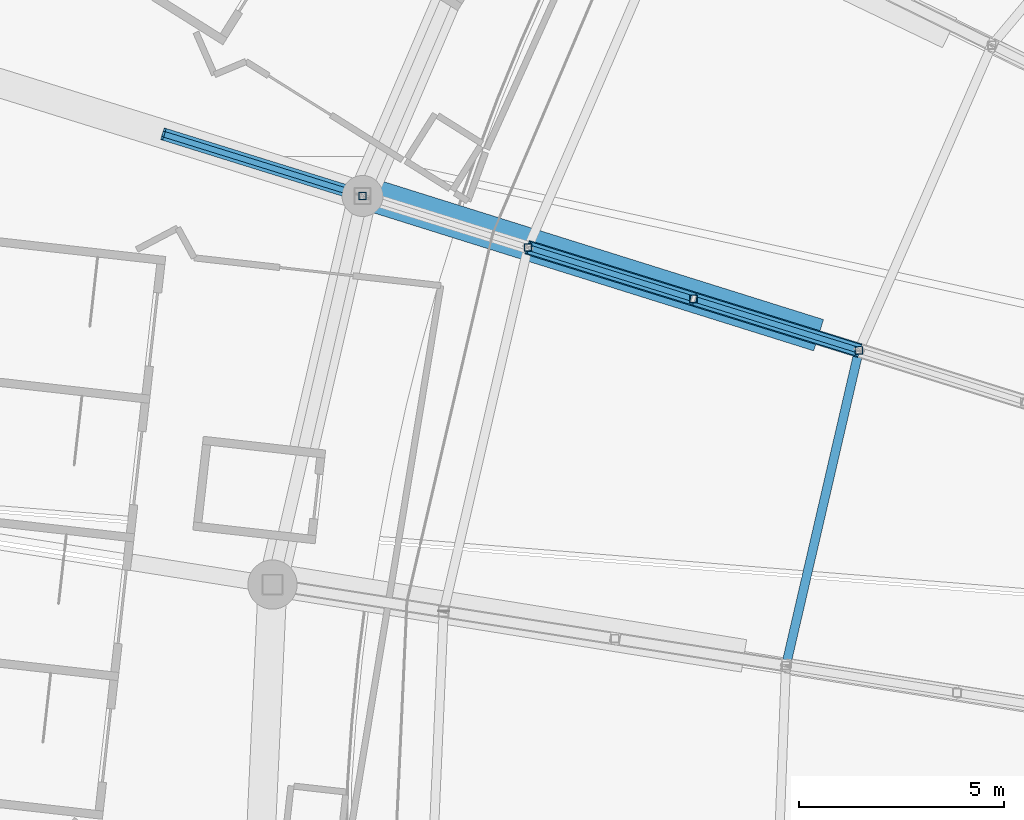
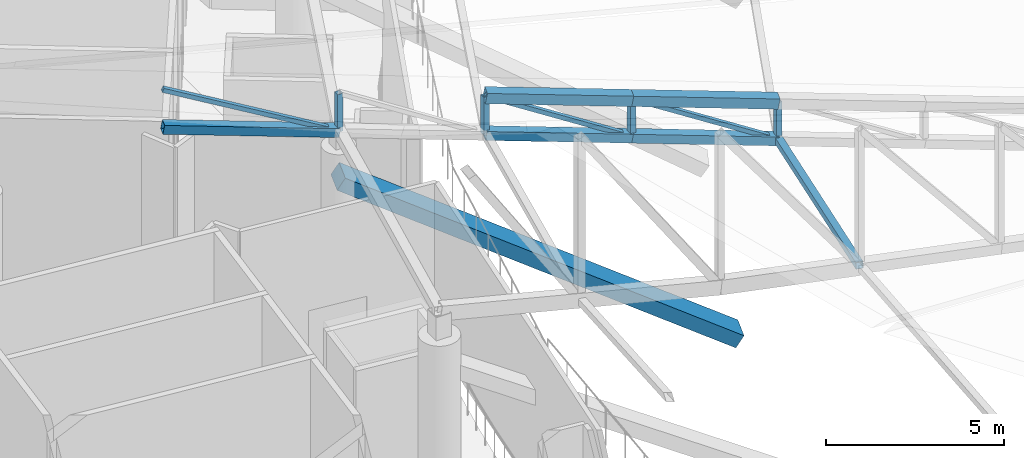
# One storey, part 128 of 344: 13 members, 1 beam.
"""IFC4 building model written with IfcOpenShell, lengths in metres."""

from ifc_helpers import new_model, si_unit, direction, frame, origin, origin_2d, place, context, subcontext, project, spatial, rectangle, hollow_rectangle, extrude, material, material_profile, profile_set, type_object, element, save


model = new_model("IFC4")

# Units and contexts
model_context = context("Model", 3, precision=1e-05, world=origin(), true_north=direction((0.0, 1.0)))
body_context = subcontext(model_context, "Body", "Model", "MODEL_VIEW")
ifc_project = project(units=[si_unit("LENGTHUNIT", "METRE"), si_unit("AREAUNIT", "SQUARE_METRE"), si_unit("VOLUMEUNIT", "CUBIC_METRE"), si_unit("PLANEANGLEUNIT", "RADIAN"), si_unit("MASSUNIT", "GRAM", prefix="KILO")], contexts=[model_context])

# Site, building, storey
site_placement = place(None, origin())
site = spatial("IfcSite", under=ifc_project, at=site_placement, CompositionType="ELEMENT")
building_placement = place(site_placement, origin())
building = spatial("IfcBuilding", under=site, at=building_placement, Name="Meseta Stadium", CompositionType="ELEMENT")
storey_placement = place(building_placement, frame((0.0, 0.0, 24.0)))
storey = spatial("IfcBuildingStorey", under=building, at=storey_placement, Name="L04", CompositionType="ELEMENT", Elevation=24.0)

# Beam
ifc_material_1 = material(Name="Concrete C40/50", Category="concrete")
ifc_material_profile_1 = material_profile(ifc_material_1, rectangle(XDim=0.800048828125, YDim=0.449951171875, at=origin_2d()), Name="RC 800x450")
ifc_profile_set_1 = profile_set([ifc_material_profile_1], Name="Concrete C40/50")
beam_type = type_object("IfcBeamType", Name="RC raker upper rear 800x450", PredefinedType="USERDEFINED", material=ifc_profile_set_1)
beam_placement = place(storey_placement, frame((-71.169677734375, 59.67724609375, -2.31787109375), z_axis=(-0.809741444929, 0.253874039245, 0.529024351577), x_axis=(-0.299165745615, -0.954201161522, 0.0)))
element("IfcBeam", 1, at=beam_placement, inside=storey, type_object=beam_type, Name="Raker upper rear frame 27 upper tier", ObjectType="RAKER", PredefinedType="USERDEFINED", context=body_context, shape_type="SweptSolid", body=[
    extrude(rectangle(XDim=0.800048828125, YDim=0.449951171875, at=origin_2d()), origin(), (0.0, 0.0, 1.0), 13.5517578125),
])

# Members
ifc_material_2 = material(Name="Steel S355", Category="steel")
ifc_material_profile_2 = material_profile(ifc_material_2, hollow_rectangle(XDim=0.139892578125, YDim=0.139892578125, WallThickness=0.0048828125, at=origin_2d()), Name="SHS 140x140x5")
ifc_profile_set_2 = profile_set([ifc_material_profile_2], Name="Steel S355")
member_type_1 = type_object("IfcMemberType", Name="SHS 140x140x5 diagonal", PredefinedType="BRACE", material=ifc_profile_set_2)
for number, where, z_axis, x_axis, name in (
    (2, (-70.073974609375, 59.272216796875, 4.256591796875), (-0.859278691546, 0.267243269939, 0.436143514142), (-0.296977513201, -0.954884472935, 0.0), "ROOF TRUSS RT-27 diagonal"),
    (3, (-74.105712890625, 60.526123046875, 5.0029296875), (-0.859278691546, 0.267243269939, 0.436143514142), (-0.296977513201, -0.954884472935, 0.0), "ROOF TRUSS RT-27 diagonal"),
):
    element("IfcMember", number, at=place(storey_placement, frame(where, z_axis=z_axis, x_axis=x_axis)), inside=storey, type_object=member_type_1, Name=name, PredefinedType="BRACE", context=body_context, shape_type="SweptSolid", body=[
        extrude(hollow_rectangle(XDim=0.139892578125, YDim=0.139892578125, WallThickness=0.0048828125, at=origin_2d()), origin(), (0.0, 0.0, 1.0), 4.69189453125),
    ])
member_1_placement = place(storey_placement, frame((-82.169189453125, 63.03369140625, 6.495849609375), z_axis=(-0.876394312663, 0.272580548813, 0.397030040603), x_axis=(-0.296991589907, -0.954880094842, 0.0)))
element("IfcMember", 4, at=member_1_placement, inside=storey, type_object=member_type_1, Name="ROOF TRUSS RT-27 diagonal", PredefinedType="BRACE", context=body_context, shape_type="SweptSolid", body=[
    extrude(hollow_rectangle(XDim=0.139892578125, YDim=0.139892578125, WallThickness=0.0048828125, at=origin_2d()), origin(), (0.0, 0.0, 1.0), 5.5361328125),
])
ifc_material_3 = material(Name="Steel S355", Category="steel")
ifc_material_profile_3 = material_profile(ifc_material_3, hollow_rectangle(XDim=0.179931640625, YDim=0.179931640625, WallThickness=0.00634765625, at=origin_2d()), Name="SHS 180x180x6.3")
ifc_profile_set_3 = profile_set([ifc_material_profile_3], Name="Steel S355")
member_type_2 = type_object("IfcMemberType", Name="SHS 180x180x6.3 post", PredefinedType="POST", material=ifc_profile_set_3)
for number, where, z_axis, x_axis, name in (
    (5, (-70.073974609375, 59.272216796875, 4.256591796875), (0.0, 0.0, 1.0), (1.0, 0.0, 0.0), "ROOF TRUSS RT-27 post"),
    (6, (-74.105712890625, 60.526123046875, 5.0029296875), (0.0, 0.0, 1.0), (1.0, 0.0, 0.0), "ROOF TRUSS RT-27 post"),
    (7, (-78.137451171875, 61.780029296875, 5.749267578125), (0.0, 0.0, 1.0), (1.0, 0.0, 0.0), "ROOF TRUSS RT-27 post"),
):
    element("IfcMember", number, at=place(storey_placement, frame(where, z_axis=z_axis, x_axis=x_axis)), inside=storey, type_object=member_type_2, Name=name, PredefinedType="POST", context=body_context, shape_type="SweptSolid", body=[
        extrude(hollow_rectangle(XDim=0.179931640625, YDim=0.179931640625, WallThickness=0.00634765625, at=origin_2d()), origin(), (0.0, 0.0, 1.0), 1.300048828125),
    ])
member_2_placement = place(storey_placement, frame((-82.169189453125, 63.03369140625, 6.495849609375), z_axis=(0.0, 0.0, 1.0), x_axis=(1.0, 0.0, 0.0)))
element("IfcMember", 8, at=member_2_placement, inside=storey, type_object=member_type_2, Name="ROOF TRUSS RT-27 post", PredefinedType="POST", context=body_context, shape_type="SweptSolid", body=[
    extrude(hollow_rectangle(XDim=0.179931640625, YDim=0.179931640625, WallThickness=0.00634765625, at=origin_2d()), origin(), (0.0, 0.0, 1.0), 1.2998046875),
])
ifc_material_4 = material(Name="Steel S355", Category="steel")
ifc_material_profile_4 = material_profile(ifc_material_4, hollow_rectangle(XDim=0.219970703125, YDim=0.219970703125, WallThickness=0.008056640625, at=origin_2d()), Name="SHS 220x220x8")
ifc_profile_set_4 = profile_set([ifc_material_profile_4], Name="Steel S355")
member_type_3 = type_object("IfcMemberType", Name="SHS 220x220x8 strut", PredefinedType="STRUT", material=ifc_profile_set_4)
member_3_placement = place(storey_placement, frame((-70.073974609375, 59.272216796875, 4.256591796875), z_axis=(-0.223904903257, -0.967620887699, 0.116517861231), x_axis=(0.974256944964, -0.225440469282, 0.0)))
element("IfcMember", 9, at=member_3_placement, inside=storey, type_object=member_type_3, Name="ROOF TRUSS STRUT RT-27/28", PredefinedType="STRUT", context=body_context, shape_type="SweptSolid", body=[
    extrude(hollow_rectangle(XDim=0.219970703125, YDim=0.219970703125, WallThickness=0.008056640625, at=origin_2d()), origin(), (0.0, 0.0, 1.0), 7.941162109375),
])
ifc_material_5 = material(Name="Steel S355", Category="steel")
ifc_material_profile_5 = material_profile(ifc_material_5, hollow_rectangle(XDim=0.300048828125, YDim=0.300048828125, WallThickness=0.010009765625, at=origin_2d()), Name="SHS 300x300x10")
ifc_profile_set_5 = profile_set([ifc_material_profile_5], Name="Steel S355")
member_type_4 = type_object("IfcMemberType", Name="SHS 300x300x10 bottom chord", PredefinedType="CHORD", material=ifc_profile_set_5)
for number, where, z_axis, x_axis, name in (
    (10, (-70.073974609375, 59.272216796875, 4.256591796875), (-0.940307263038, 0.292443872046, 0.174065599074), (-0.296977513201, -0.954884472935, 0.0), "ROOF TRUSS RT-27 bottom chord"),
    (11, (-74.105712890625, 60.526123046875, 5.0029296875), (-0.940307263038, 0.292443872046, 0.174065599074), (-0.296977513201, -0.954884472935, 0.0), "ROOF TRUSS RT-27 bottom chord"),
):
    element("IfcMember", number, at=place(storey_placement, frame(where, z_axis=z_axis, x_axis=x_axis)), inside=storey, type_object=member_type_4, Name=name, PredefinedType="CHORD", context=body_context, shape_type="SweptSolid", body=[
        extrude(hollow_rectangle(XDim=0.300048828125, YDim=0.300048828125, WallThickness=0.010009765625, at=origin_2d()), origin(), (0.0, 0.0, 1.0), 4.28759765625),
    ])
member_4_placement = place(storey_placement, frame((-82.169189453125, 63.03369140625, 6.495849609375), z_axis=(-0.940309304349, 0.292459709665, 0.174027958607), x_axis=(-0.296991589907, -0.954880094842, 0.0)))
element("IfcMember", 12, at=member_4_placement, inside=storey, type_object=member_type_4, Name="ROOF TRUSS RT-27 bottom chord", PredefinedType="CHORD", context=body_context, shape_type="SweptSolid", body=[
    extrude(hollow_rectangle(XDim=0.300048828125, YDim=0.300048828125, WallThickness=0.010009765625, at=origin_2d()), origin(), (0.0, 0.0, 1.0), 5.159912109375),
])
ifc_material_6 = material(Name="Steel S355", Category="steel")
ifc_material_profile_6 = material_profile(ifc_material_6, hollow_rectangle(XDim=0.35009765625, YDim=0.35009765625, WallThickness=0.010009765625, at=origin_2d()), Name="SHS 350x350x10")
ifc_profile_set_6 = profile_set([ifc_material_profile_6], Name="Steel S355")
member_type_5 = type_object("IfcMemberType", Name="SHS 350x350x10 top chord", PredefinedType="CHORD", material=ifc_profile_set_6)
for number, where, z_axis, x_axis, name in (
    (13, (-70.073974609375, 59.272216796875, 5.556640625), (-0.940307263038, 0.292443872046, 0.174065599074), (-0.296977513201, -0.954884472935, 0.0), "ROOF TRUSS RT-27 top chord"),
    (14, (-74.105712890625, 60.526123046875, 6.302978515625), (-0.940307263038, 0.292443872046, 0.174065599074), (-0.296977513201, -0.954884472935, 0.0), "ROOF TRUSS RT-27 top chord"),
):
    element("IfcMember", number, at=place(storey_placement, frame(where, z_axis=z_axis, x_axis=x_axis)), inside=storey, type_object=member_type_5, Name=name, PredefinedType="CHORD", context=body_context, shape_type="SweptSolid", body=[
        extrude(hollow_rectangle(XDim=0.35009765625, YDim=0.35009765625, WallThickness=0.010009765625, at=origin_2d()), origin(), (0.0, 0.0, 1.0), 4.28759765625),
    ])

save(model, "model.ifc")
